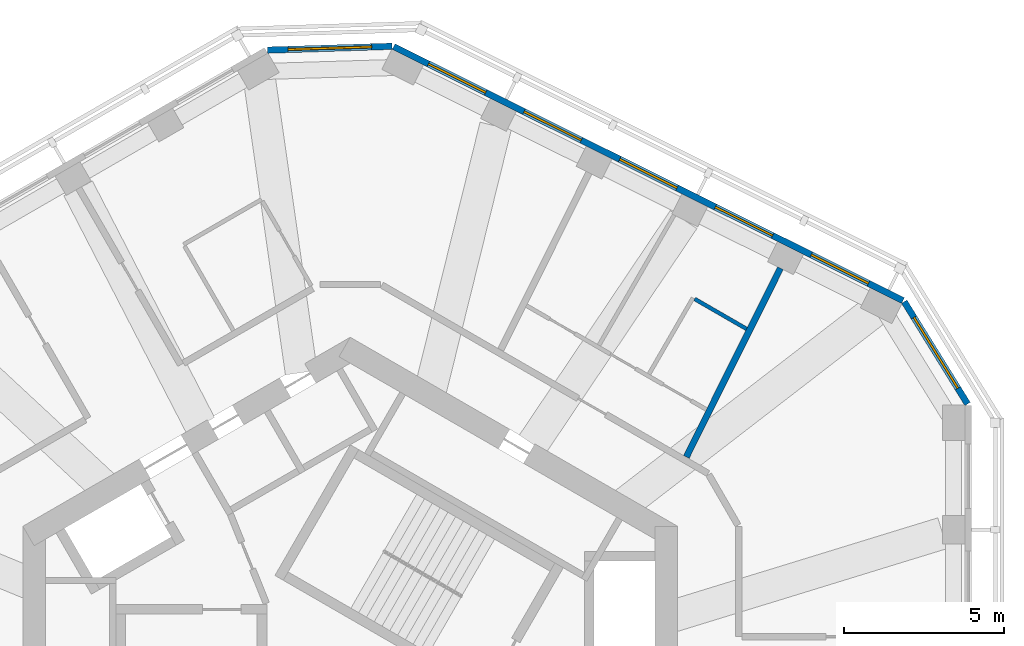
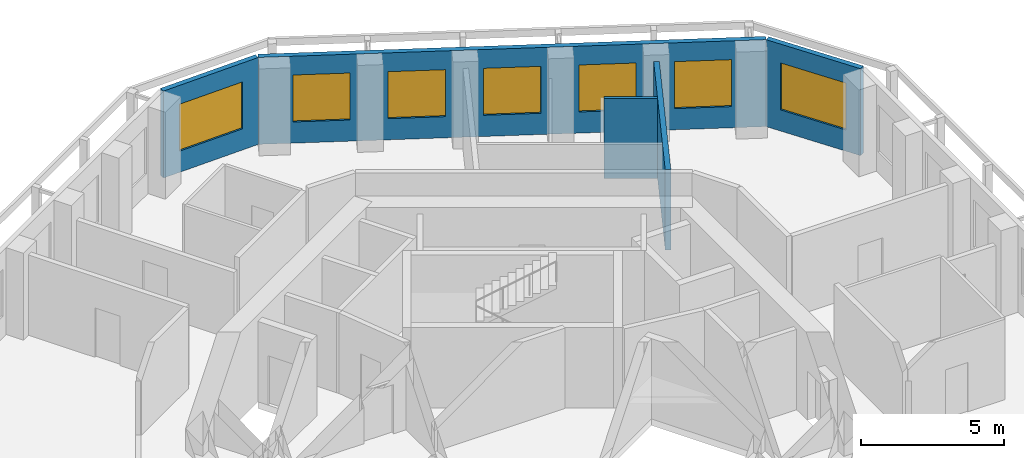
# One storey, part 8 of 11: 7 windows, 5 walls, 7 openings.
"""IFC4 building model written with IfcOpenShell, lengths in metres."""

from ifc_helpers import new_model, si_unit, direction, frame, frame_2d, origin, place, context, subcontext, project, spatial, rectangle, extrude, material, layer, layer_set, type_object, element, fill, save


model = new_model("IFC4")

# Units and contexts
model_context = context("Model", 3, precision=1e-05, world=origin(), true_north=direction((0.0, 1.0)))
body_context = subcontext(model_context, "Body", "Model", "MODEL_VIEW")
ifc_project = project(units=[si_unit("LENGTHUNIT", "METRE"), si_unit("AREAUNIT", "SQUARE_METRE"), si_unit("VOLUMEUNIT", "CUBIC_METRE"), si_unit("PLANEANGLEUNIT", "RADIAN"), si_unit("MASSUNIT", "GRAM", prefix="KILO")], contexts=[model_context])

# Site, building, storey
site_placement = place(None, origin())
site = spatial("IfcSite", under=ifc_project, at=site_placement, CompositionType="ELEMENT")
building_placement = place(site_placement, origin())
building = spatial("IfcBuilding", under=site, at=building_placement, Name="Vanh Sen Convention Tower", CompositionType="ELEMENT")
storey_placement = place(building_placement, frame((0.0, 0.0, 270.89990234375)))
storey = spatial("IfcBuildingStorey", under=building, at=storey_placement, Name="L67", CompositionType="ELEMENT", Elevation=270.89990234375)

# Wall
ifc_material_1 = material(Name="Moisture-resistant gypsum board on steel studs", Category="steel")
ifc_layer_1 = layer(ifc_material_1, 0.1201171875)
ifc_layer_set_1 = layer_set([ifc_layer_1], Name="Moisture-resistant gypsum board on steel studs")
wall_type_1 = type_object("IfcWallType", Name="Bathroom partition 120", PredefinedType="PARTITIONING", material=ifc_layer_set_1)
wall_1_placement = place(storey_placement, frame((12.34912109375, 12.038330078125, 0.0), z_axis=(0.0, 0.0, 1.0), x_axis=(-0.866039825209, 0.499975020527, 0.0)))
element("IfcWall", 1, at=wall_1_placement, inside=storey, type_object=wall_type_1, Name="Bathroom partition 120", PredefinedType="PARTITIONING", context=body_context, shape_type="SweptSolid", body=[
    extrude(rectangle(XDim=1.86865234375, YDim=0.1201171875, at=frame_2d((0.934326171875, 0.0))), origin(), (0.0, 0.0, 1.0), 3.420166015625),
])

# Wall, opening, window
ifc_material_2 = material(Name="Insulated lightweight infill wall")
ifc_layer_2 = layer(ifc_material_2, 0.199951171875)
ifc_layer_set_2 = layer_set([ifc_layer_2], Name="Insulated lightweight infill wall")
wall_type_2 = type_object("IfcWallType", Name="External wall 200", PredefinedType="STANDARD", material=ifc_layer_set_2)
wall_2_placement = place(storey_placement, frame((19.235107421875, 9.699951171875, 0.0), z_axis=(0.0, 0.0, 1.0), x_axis=(-0.526233475464, 0.850340125656, 0.0)))
wall_2 = element("IfcWall", 2, at=wall_2_placement, inside=storey, type_object=wall_type_2, Name="External wall CH1 L67", PredefinedType="STANDARD", context=body_context, shape_type="SweptSolid", body=[
    extrude(rectangle(XDim=3.746826171875, YDim=0.199951171875, at=frame_2d((1.87353515625, 0.0))), origin(), (0.0, 0.0, 1.0), 3.7001953125),
])
opening_1_placement = place(wall_2_placement, frame((0.573486328125, 0.0, 0.89990234375)))
opening_1 = element("IfcOpeningElement", 3, at=opening_1_placement, cuts=wall_2, Name="Opening WO6-CH11", PredefinedType="OPENING", context=body_context, shape_type="SweptSolid", body=[
    extrude(rectangle(XDim=2.60009765625, YDim=2.0, at=frame_2d((1.300048828125, 1.0))), frame((0.0, 0.10986328125, 0.0), z_axis=(0.0, -1.0, 0.0), x_axis=(1.0, 0.0, 0.0)), (0.0, 0.0, 1.0), 0.219970703125),
])
ifc_material_3 = material(Name="Aluminium frame with clear low-emissivity glass", Category="aluminium")
window_type_1 = type_object("IfcWindowType", Name="Office window 2600 x 2000", PartitioningType="SINGLE_PANEL", PredefinedType="WINDOW", material=ifc_material_3)
window_1_placement = place(opening_1_placement, origin())
window_1 = element("IfcWindow", 4, at=window_1_placement, inside=storey, type_object=window_type_1, Name="Window WO6-CH11", OverallHeight=2.0, OverallWidth=2.60009765625, PartitioningType="SINGLE_PANEL", PredefinedType="WINDOW", context=body_context, shape_type="SweptSolid", body=[
    extrude(rectangle(XDim=2.60009765625, YDim=2.0, at=frame_2d((1.300048828125, 1.0))), frame((0.0, 0.030029296875, 0.0), z_axis=(0.0, -1.0, 0.0), x_axis=(1.0, 0.0, 0.0)), (0.0, 0.0, 1.0), 0.06005859375),
])
fill(opening_1, window_1)

# Wall, openings, windows
wall_3_placement = place(storey_placement, frame((17.222900390625, 12.9228515625, 0.0), z_axis=(0.0, 0.0, 1.0), x_axis=(-0.894930561148, 0.44620543556, 0.0)))
wall_3 = element("IfcWall", 5, at=wall_3_placement, inside=storey, type_object=wall_type_2, Name="External wall NE L67", PredefinedType="STANDARD", context=body_context, shape_type="SweptSolid", body=[
    extrude(rectangle(XDim=17.7314453125, YDim=0.199951171875, at=frame_2d((8.86572265625, 0.0))), origin(), (0.0, 0.0, 1.0), 3.7001953125),
])
opening_2_placement = place(wall_3_placement, frame((1.20166015625, 0.0, 0.89990234375)))
opening_2 = element("IfcOpeningElement", 6, at=opening_2_placement, cuts=wall_3, Name="Opening WO5-NE1", PredefinedType="OPENING", context=body_context, shape_type="SweptSolid", body=[
    extrude(rectangle(XDim=2.0, YDim=2.0, at=frame_2d((1.0, 1.0))), frame((0.0, 0.10986328125, 0.0), z_axis=(0.0, -1.0, 0.0), x_axis=(1.0, 0.0, 0.0)), (0.0, 0.0, 1.0), 0.219970703125),
])
opening_3_placement = place(wall_3_placement, frame((4.533203125, 0.0, 0.89990234375)))
opening_3 = element("IfcOpeningElement", 7, at=opening_3_placement, cuts=wall_3, Name="Opening WO5-NE2", PredefinedType="OPENING", context=body_context, shape_type="SweptSolid", body=[
    extrude(rectangle(XDim=2.0, YDim=2.0, at=frame_2d((1.0, 1.0))), frame((0.0, 0.10986328125, 0.0), z_axis=(0.0, -1.0, 0.0), x_axis=(1.0, 0.0, 0.0)), (0.0, 0.0, 1.0), 0.219970703125),
])
opening_4_placement = place(wall_3_placement, frame((7.864990234375, 0.0, 0.89990234375)))
opening_4 = element("IfcOpeningElement", 8, at=opening_4_placement, cuts=wall_3, Name="Opening WO5-NE3", PredefinedType="OPENING", context=body_context, shape_type="SweptSolid", body=[
    extrude(rectangle(XDim=2.0, YDim=2.0, at=frame_2d((1.0, 1.0))), frame((0.0, 0.10986328125, 0.0), z_axis=(0.0, -1.0, 0.0), x_axis=(1.0, 0.0, 0.0)), (0.0, 0.0, 1.0), 0.219970703125),
])
opening_5_placement = place(wall_3_placement, frame((11.196533203125, 0.0, 0.89990234375)))
opening_5 = element("IfcOpeningElement", 9, at=opening_5_placement, cuts=wall_3, Name="Opening WO5-NE4", PredefinedType="OPENING", context=body_context, shape_type="SweptSolid", body=[
    extrude(rectangle(XDim=2.0, YDim=2.0, at=frame_2d((1.0, 1.0))), frame((0.0, 0.10986328125, 0.0), z_axis=(0.0, -1.0, 0.0), x_axis=(1.0, 0.0, 0.0)), (0.0, 0.0, 1.0), 0.219970703125),
])
opening_6_placement = place(wall_3_placement, frame((14.5283203125, 0.0, 0.89990234375)))
opening_6 = element("IfcOpeningElement", 10, at=opening_6_placement, cuts=wall_3, Name="Opening WO5-NE5", PredefinedType="OPENING", context=body_context, shape_type="SweptSolid", body=[
    extrude(rectangle(XDim=2.0, YDim=2.0, at=frame_2d((1.0, 1.0))), frame((0.0, 0.10986328125, 0.0), z_axis=(0.0, -1.0, 0.0), x_axis=(1.0, 0.0, 0.0)), (0.0, 0.0, 1.0), 0.219970703125),
])
window_type_2 = type_object("IfcWindowType", Name="Office window 2000 x 2000", PartitioningType="SINGLE_PANEL", PredefinedType="WINDOW", material=ifc_material_3)
window_2_placement = place(opening_2_placement, origin())
window_2 = element("IfcWindow", 11, at=window_2_placement, inside=storey, type_object=window_type_2, Name="Window WO5-NE1", OverallHeight=2.0, OverallWidth=2.0, PartitioningType="SINGLE_PANEL", PredefinedType="WINDOW", context=body_context, shape_type="SweptSolid", body=[
    extrude(rectangle(XDim=2.0, YDim=2.0, at=frame_2d((1.0, 1.0))), frame((0.0, 0.030029296875, 0.0), z_axis=(0.0, -1.0, 0.0), x_axis=(1.0, 0.0, 0.0)), (0.0, 0.0, 1.0), 0.06005859375),
])
fill(opening_2, window_2)
window_3_placement = place(opening_3_placement, origin())
window_3 = element("IfcWindow", 12, at=window_3_placement, inside=storey, type_object=window_type_2, Name="Window WO5-NE2", OverallHeight=2.0, OverallWidth=2.0, PartitioningType="SINGLE_PANEL", PredefinedType="WINDOW", context=body_context, shape_type="SweptSolid", body=[
    extrude(rectangle(XDim=2.0, YDim=2.0, at=frame_2d((1.0, 1.0))), frame((0.0, 0.030029296875, 0.0), z_axis=(0.0, -1.0, 0.0), x_axis=(1.0, 0.0, 0.0)), (0.0, 0.0, 1.0), 0.06005859375),
])
fill(opening_3, window_3)
window_4_placement = place(opening_4_placement, origin())
window_4 = element("IfcWindow", 13, at=window_4_placement, inside=storey, type_object=window_type_2, Name="Window WO5-NE3", OverallHeight=2.0, OverallWidth=2.0, PartitioningType="SINGLE_PANEL", PredefinedType="WINDOW", context=body_context, shape_type="SweptSolid", body=[
    extrude(rectangle(XDim=2.0, YDim=2.0, at=frame_2d((1.0, 1.0))), frame((0.0, 0.030029296875, 0.0), z_axis=(0.0, -1.0, 0.0), x_axis=(1.0, 0.0, 0.0)), (0.0, 0.0, 1.0), 0.06005859375),
])
fill(opening_4, window_4)
window_5_placement = place(opening_5_placement, origin())
window_5 = element("IfcWindow", 14, at=window_5_placement, inside=storey, type_object=window_type_2, Name="Window WO5-NE4", OverallHeight=2.0, OverallWidth=2.0, PartitioningType="SINGLE_PANEL", PredefinedType="WINDOW", context=body_context, shape_type="SweptSolid", body=[
    extrude(rectangle(XDim=2.0, YDim=2.0, at=frame_2d((1.0, 1.0))), frame((0.0, 0.030029296875, 0.0), z_axis=(0.0, -1.0, 0.0), x_axis=(1.0, 0.0, 0.0)), (0.0, 0.0, 1.0), 0.06005859375),
])
fill(opening_5, window_5)
window_6_placement = place(opening_6_placement, origin())
window_6 = element("IfcWindow", 15, at=window_6_placement, inside=storey, type_object=window_type_2, Name="Window WO5-NE5", OverallHeight=2.0, OverallWidth=2.0, PartitioningType="SINGLE_PANEL", PredefinedType="WINDOW", context=body_context, shape_type="SweptSolid", body=[
    extrude(rectangle(XDim=2.0, YDim=2.0, at=frame_2d((1.0, 1.0))), frame((0.0, 0.030029296875, 0.0), z_axis=(0.0, -1.0, 0.0), x_axis=(1.0, 0.0, 0.0)), (0.0, 0.0, 1.0), 0.06005859375),
])
fill(opening_6, window_6)

# Wall, opening, window
wall_4_placement = place(storey_placement, frame((1.306884765625, 20.84521484375, 0.0), z_axis=(0.0, 0.0, 1.0), x_axis=(-0.999533654813, -0.030536419175, 0.0)))
wall_4 = element("IfcWall", 16, at=wall_4_placement, inside=storey, type_object=wall_type_2, Name="External wall CH2 L67", PredefinedType="STANDARD", context=body_context, shape_type="SweptSolid", body=[
    extrude(rectangle(XDim=3.885498046875, YDim=0.199951171875, at=frame_2d((1.94287109375, 0.0))), origin(), (0.0, 0.0, 1.0), 3.7001953125),
])
opening_7_placement = place(wall_4_placement, frame((0.642822265625, 0.0, 0.89990234375)))
opening_7 = element("IfcOpeningElement", 17, at=opening_7_placement, cuts=wall_4, Name="Opening WO6-CH21", PredefinedType="OPENING", context=body_context, shape_type="SweptSolid", body=[
    extrude(rectangle(XDim=2.60009765625, YDim=2.0, at=frame_2d((1.300048828125, 1.0))), frame((0.0, 0.10986328125, 0.0), z_axis=(0.0, -1.0, 0.0), x_axis=(1.0, 0.0, 0.0)), (0.0, 0.0, 1.0), 0.219970703125),
])
window_7_placement = place(opening_7_placement, origin())
window_7 = element("IfcWindow", 18, at=window_7_placement, inside=storey, type_object=window_type_1, Name="Window WO6-CH21", OverallHeight=2.0, OverallWidth=2.60009765625, PartitioningType="SINGLE_PANEL", PredefinedType="WINDOW", context=body_context, shape_type="SweptSolid", body=[
    extrude(rectangle(XDim=2.60009765625, YDim=2.0, at=frame_2d((1.300048828125, 1.0))), frame((0.0, 0.030029296875, 0.0), z_axis=(0.0, -1.0, 0.0), x_axis=(1.0, 0.0, 0.0)), (0.0, 0.0, 1.0), 0.06005859375),
])
fill(opening_7, window_7)

# Wall
ifc_material_4 = material(Name="Gypsum board on steel studs with mineral wool", Category="steel")
ifc_layer_3 = layer(ifc_material_4, 0.199951171875)
ifc_layer_set_3 = layer_set([ifc_layer_3], Name="Gypsum board on steel studs with mineral wool")
wall_type_3 = type_object("IfcWallType", Name="Tenant suite wall 200", PredefinedType="PARTITIONING", material=ifc_layer_set_3)
wall_5_placement = place(storey_placement, frame((13.40478515625, 13.9326171875, 0.0), z_axis=(0.0, 0.0, 1.0), x_axis=(-0.446187838644, -0.894939334618, 0.0)))
element("IfcWall", 19, at=wall_5_placement, inside=storey, type_object=wall_type_3, Name="Tenant suite wall 200", PredefinedType="PARTITIONING", context=body_context, shape_type="SweptSolid", body=[
    extrude(rectangle(XDim=6.571044921875, YDim=0.199951171875, at=frame_2d((3.28564453125, 0.0))), origin(), (0.0, 0.0, 1.0), 3.420166015625),
])

save(model, "model.ifc")
